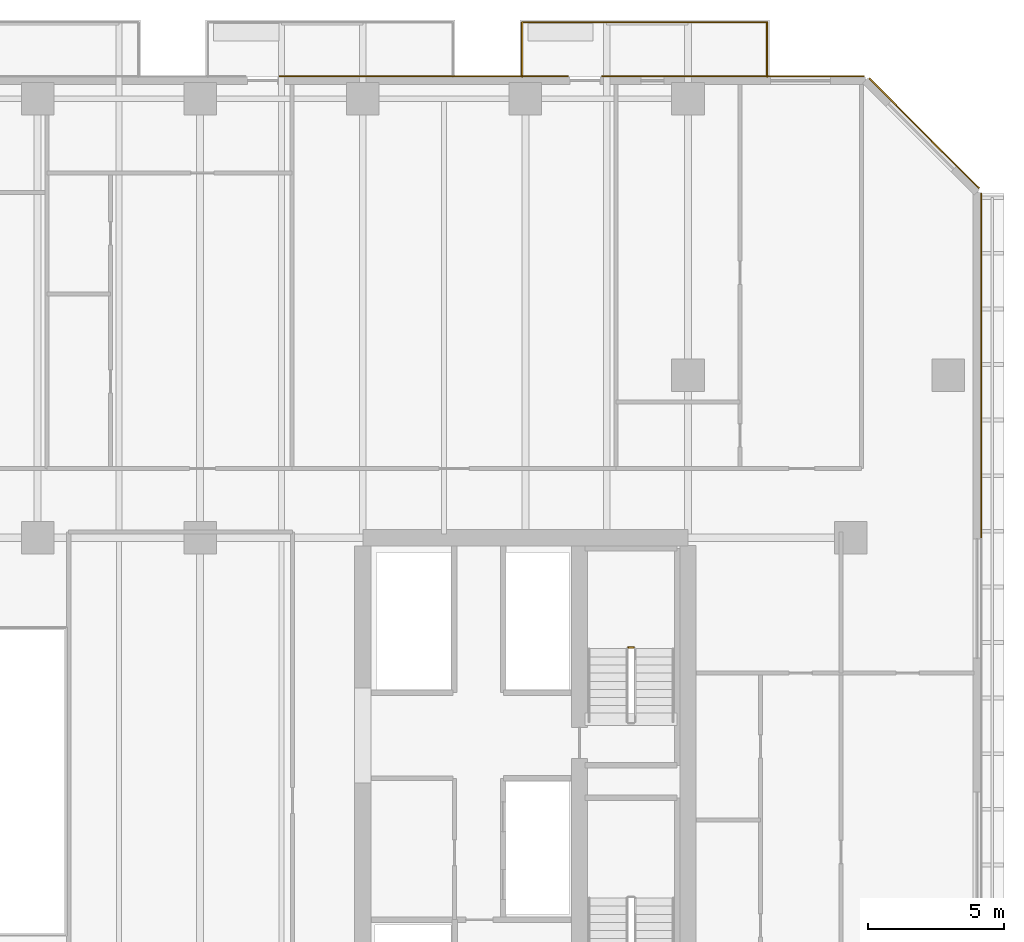
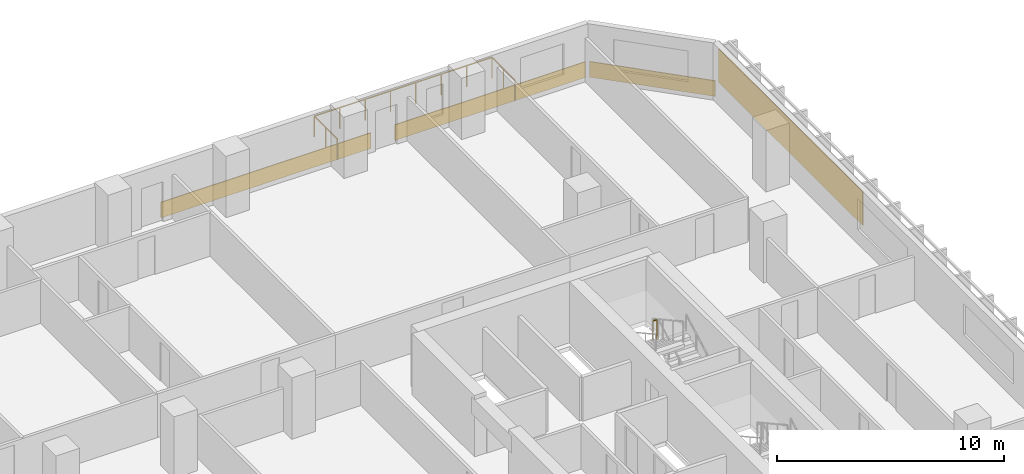
# One storey, part 26 of 26: 4 coverings, 2 railings.
"""IFC4 building model written with IfcOpenShell, lengths in metres."""

from ifc_helpers import new_model, si_unit, direction, frame, origin, origin_2d, place, context, subcontext, project, spatial, rectangle, extrude, material, layer, layer_set, type_object, element, save


model = new_model("IFC4")

# Units and contexts
model_context = context("Model", 3, precision=1e-05, world=origin(), true_north=direction((0.0, 1.0)))
body_context = subcontext(model_context, "Body", "Model", "MODEL_VIEW")
ifc_project = project(units=[si_unit("LENGTHUNIT", "METRE"), si_unit("AREAUNIT", "SQUARE_METRE"), si_unit("VOLUMEUNIT", "CUBIC_METRE"), si_unit("PLANEANGLEUNIT", "RADIAN"), si_unit("MASSUNIT", "GRAM", prefix="KILO")], contexts=[model_context])

# Site, building, storey
site_placement = place(None, origin())
site = spatial("IfcSite", under=ifc_project, at=site_placement, CompositionType="ELEMENT")
building_placement = place(site_placement, origin())
building = spatial("IfcBuilding", under=site, at=building_placement, Name="Tanjung Sevakor Pilgrim Tower", CompositionType="ELEMENT")
storey_placement = place(building_placement, frame((0.0, 0.0, 48.840087890625)))
storey = spatial("IfcBuildingStorey", under=building, at=storey_placement, Name="L13", CompositionType="ELEMENT", Elevation=48.840087890625)

# Coverings
ifc_material_1 = material(Name="Reconstructed Limestone Cladding", Category="masonry")
ifc_layer = layer(ifc_material_1, 0.044921875)
ifc_layer_set = layer_set([ifc_layer], Name="COV-CLAD-LIMESTONE")
covering_type = type_object("IfcCoveringType", Name="COV-CLAD-LIMESTONE", PredefinedType="CLADDING", material=ifc_layer_set)
covering_1_placement = place(storey_placement, frame((100.822509765625, 48.950927734375, 0.849853515625), z_axis=(0.0, 0.0, 1.0), x_axis=(0.0, 1.0, 0.0)))
element("IfcCovering", 1, at=covering_1_placement, inside=storey, type_object=covering_type, Name="L13 Warm Limestone Pier Panel EW-L13-MAIN-7-3", PredefinedType="CLADDING", context=body_context, shape_type="SweptSolid", body=[
    extrude(rectangle(XDim=12.701904296875, YDim=0.044921875, at=origin_2d()), origin(), (0.0, 0.0, 1.0), 1.81005859375),
])
covering_2_placement = place(storey_placement, frame((98.7158203125, 57.515869140625, 0.009765625), z_axis=(0.0, 0.0, 1.0), x_axis=(-0.707106781187, 0.707106781187, 0.0)))
element("IfcCovering", 2, at=covering_2_placement, inside=storey, type_object=covering_type, Name="L13 Warm Limestone Sill Spandrel EW-CHM-L13-MAIN-7-1", PredefinedType="CLADDING", context=body_context, shape_type="SweptSolid", body=[
    extrude(rectangle(XDim=5.74365234375, YDim=0.044921875, at=origin_2d()), origin(), (0.0, 0.0, 1.0), 0.840087890625),
])
covering_3_placement = place(storey_placement, frame((91.656005859375, 59.62255859375, 0.009765625), z_axis=(0.0, 0.0, 1.0), x_axis=(-1.0, 0.0, 0.0)))
element("IfcCovering", 3, at=covering_3_placement, inside=storey, type_object=covering_type, Name="L13 Warm Limestone Sill Spandrel EW-L13-MAIN-9-1", PredefinedType="CLADDING", context=body_context, shape_type="SweptSolid", body=[
    extrude(rectangle(XDim=9.69189453125, YDim=0.044921875, at=origin_2d()), origin(), (0.0, 0.0, 1.0), 0.840087890625),
])
covering_4_placement = place(storey_placement, frame((80.25, 59.62255859375, 0.009765625), z_axis=(0.0, 0.0, 1.0), x_axis=(-1.0, 0.0, 0.0)))
element("IfcCovering", 4, at=covering_4_placement, inside=storey, type_object=covering_type, Name="L13 Warm Limestone Sill Spandrel EW-L13-MAIN-9-2", PredefinedType="CLADDING", context=body_context, shape_type="SweptSolid", body=[
    extrude(rectangle(XDim=10.679931640625, YDim=0.044921875, at=origin_2d()), origin(), (0.0, 0.0, 1.0), 0.840087890625),
])

# Railings
ifc_material_2 = material(Name="Laminated Glass and Aluminium", Category="aluminium")
railing_type_1 = type_object("IfcRailingType", Name="RL-BAL-BALUST", PredefinedType="BALUSTRADE", material=ifc_material_2)
railing_1_placement = place(storey_placement, frame((83.8798828125, 59.60009765625, 0.0)))
element("IfcRailing", 5, at=railing_1_placement, inside=storey, type_object=railing_type_1, Name="L13 Loggia Balustrade MAIN-N4", PredefinedType="BALUSTRADE", context=body_context, shape_type="SweptSolid", body=[
    extrude(rectangle(XDim=0.0479, YDim=0.0479), frame((0.0, 0.0, 1.1259765625), z_axis=(0.0, 1.0, 0.0), x_axis=(-1.0, 0.0, 0.0)), (0.0, 0.0, 1.0), 2.02001953125),
    extrude(rectangle(XDim=0.0479, YDim=0.0479), frame((0.0, 2.02001953125, 1.1259765625), z_axis=(1.0, 0.0, 0.0), x_axis=(0.0, 1.0, 0.0)), (0.0, 0.0, 1.0), 9.0400390625),
    extrude(rectangle(XDim=0.0479, YDim=0.0479), frame((9.0400390625, 2.02001953125, 1.1259765625), z_axis=(0.0, -1.0, 0.0), x_axis=(1.0, 0.0, 0.0)), (0.0, 0.0, 1.0), 2.02001953125),
    extrude(rectangle(XDim=0.042, YDim=0.042), origin(), (0.0, 0.0, 1.0), 1.101806640625),
    extrude(rectangle(XDim=0.042, YDim=0.042), frame((0.0, 1.010009765625, 0.0)), (0.0, 0.0, 1.0), 1.101806640625),
    extrude(rectangle(XDim=0.042, YDim=0.042), frame((0.0, 2.02001953125, 0.0)), (0.0, 0.0, 1.0), 1.101806640625),
    extrude(rectangle(XDim=0.042, YDim=0.042), frame((1.29150390625, 2.02001953125, 0.0)), (0.0, 0.0, 1.0), 1.101806640625),
    extrude(rectangle(XDim=0.042, YDim=0.042), frame((2.582763671875, 2.02001953125, 0.0)), (0.0, 0.0, 1.0), 1.101806640625),
    extrude(rectangle(XDim=0.042, YDim=0.042), frame((3.874267578125, 2.02001953125, 0.0)), (0.0, 0.0, 1.0), 1.101806640625),
    extrude(rectangle(XDim=0.042, YDim=0.042), frame((5.165771484375, 2.02001953125, 0.0)), (0.0, 0.0, 1.0), 1.101806640625),
    extrude(rectangle(XDim=0.042, YDim=0.042), frame((6.457275390625, 2.02001953125, 0.0)), (0.0, 0.0, 1.0), 1.101806640625),
    extrude(rectangle(XDim=0.042, YDim=0.042), frame((7.74853515625, 2.02001953125, 0.0)), (0.0, 0.0, 1.0), 1.101806640625),
    extrude(rectangle(XDim=0.042, YDim=0.042), frame((9.0400390625, 2.02001953125, 0.0)), (0.0, 0.0, 1.0), 1.101806640625),
    extrude(rectangle(XDim=0.042, YDim=0.042), frame((9.0400390625, 1.010009765625, 0.0)), (0.0, 0.0, 1.0), 1.101806640625),
    extrude(rectangle(XDim=0.042, YDim=0.042), frame((9.0400390625, 0.0, 0.0)), (0.0, 0.0, 1.0), 1.101806640625),
])
ifc_material_3 = material(Name="Steel S355J2", Category="steel")
railing_type_2 = type_object("IfcRailingType", Name="RL-STAIR-GUARD", PredefinedType="GUARDRAIL", material=ifc_material_3)
railing_2_placement = place(storey_placement, frame((88.0, 38.550048828125, 1.64990234375)))
element("IfcRailing", 6, at=railing_2_placement, inside=storey, type_object=railing_type_2, Name="L13 TS-E2 stair guard 2", PredefinedType="GUARDRAIL", context=body_context, shape_type="SweptSolid", body=[
    extrude(rectangle(XDim=0.0479, YDim=0.0479), frame((0.0, 0.0, 1.076171875), z_axis=(-1.0, 0.0, 0.0), x_axis=(0.0, -1.0, 0.0)), (0.0, 0.0, 1.0), 0.199951171875),
    extrude(rectangle(XDim=0.042, YDim=0.042), origin(), (0.0, 0.0, 1.0), 1.052001953125),
    extrude(rectangle(XDim=0.042, YDim=0.042), frame((-0.199951171875, 0.0, 0.0)), (0.0, 0.0, 1.0), 1.052001953125),
])

save(model, "model.ifc")
